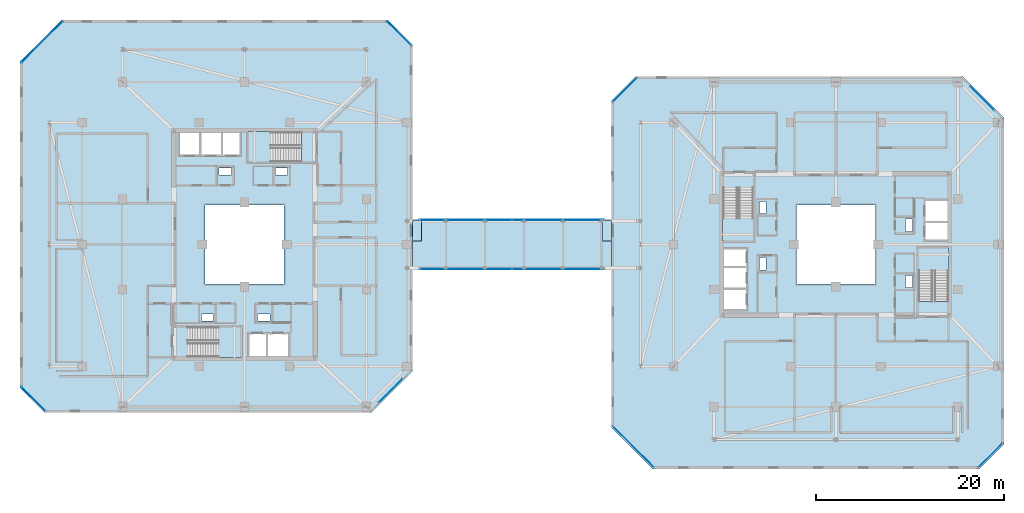
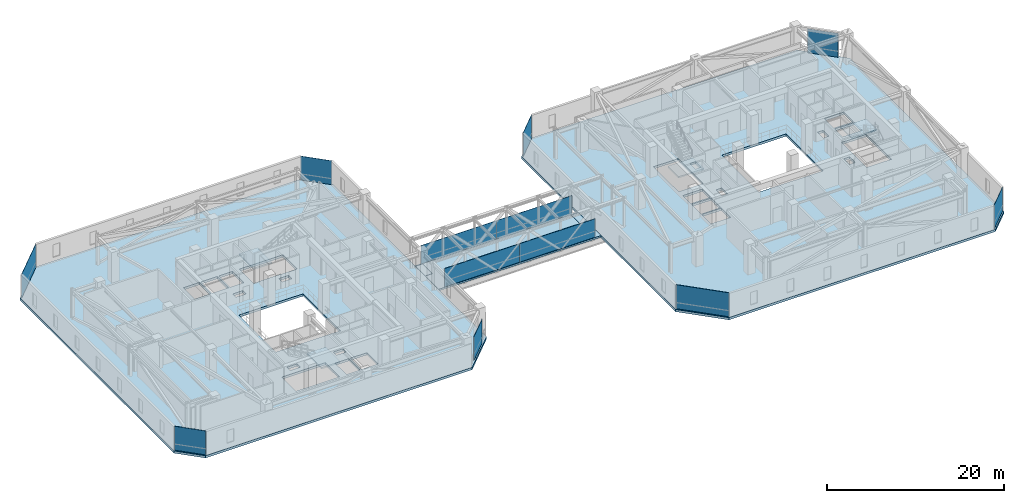
# One storey, part 27 of 42: 14 plates, 7 slabs, 14 elements without a shape of their own.
"""IFC4 building model written with IfcOpenShell, lengths in metres."""

import ifcopenshell
import ifcopenshell.guid

model = None  # the IFC model being written
_history = None  # IfcOwnerHistory: only IFC2X3 demands one
_inside = {}  # id of a spatial element -> (the spatial element, [elements in it])
_under = {}  # id of a project, library or spatial element -> (it, [spatial elements below it])
_declared = {}  # id of a project -> (the project, [libraries it declares])
_typed = {}  # id of a type object -> (the type object, [elements of that type])
_made_of = {}  # id of a material, layer set ... -> (it, [elements and type objects made of it])


def new_model(schema):
    """Start an empty IFC model of exactly this schema.

    Asked for "IFC4X3", IfcOpenShell would pick the latest addendum, in which some entities
    have other attributes; the version numbers below select the first issue.
    IFC2X3 requires an IfcOwnerHistory on every rooted entity: one is made here for all.
    """
    global model, _history
    if schema == "IFC4X3":
        model = ifcopenshell.file(schema_version=(4, 3, 0, 0))
    else:
        model = ifcopenshell.file(schema=schema)
    _inside.clear()
    _under.clear()
    _declared.clear()
    _typed.clear()
    _made_of.clear()
    _history = None
    if model.schema == "IFC2X3":
        org = make("IfcOrganization", Name="unknown")
        user = make(
            "IfcPersonAndOrganization",
            ThePerson=make("IfcPerson", FamilyName="unknown"),
            TheOrganization=org,
        )
        app = make(
            "IfcApplication",
            ApplicationDeveloper=org,
            Version="unknown",
            ApplicationFullName="unknown",
            ApplicationIdentifier="unknown",
        )
        _history = make(
            "IfcOwnerHistory",
            OwningUser=user,
            OwningApplication=app,
            ChangeAction="ADDED",
            CreationDate=0,
        )
    return model


def make(cls, **values):
    """One entity of the class cls with the attributes given. An attribute that is None is left unset."""
    return model.create_entity(
        cls, **{name: value for name, value in values.items() if value is not None}
    )


def rooted(cls, **values):
    """An entity with a GlobalId (a new one), such as an element, a storey or a relation."""
    return make(cls, GlobalId=ifcopenshell.guid.new(), OwnerHistory=_history, **values)


def si_unit(unit_type, name, prefix=None):
    """IfcSIUnit, for example si_unit("LENGTHUNIT", "METRE", prefix="MILLI")."""
    return make("IfcSIUnit", UnitType=unit_type, Prefix=prefix, Name=name)


def assignment(units):
    """IfcUnitAssignment: the units of a project."""
    return None if units is None else make("IfcUnitAssignment", Units=units)


def point(xyz):
    """IfcCartesianPoint."""
    return None if xyz is None else make("IfcCartesianPoint", Coordinates=xyz)


def direction(xyz):
    """IfcDirection."""
    return None if xyz is None else make("IfcDirection", DirectionRatios=xyz)


def frame(location, z_axis=None, x_axis=None):
    """IfcAxis2Placement3D, a coordinate frame: its origin and axes. An axis left out is left unset."""
    return make(
        "IfcAxis2Placement3D",
        Location=point(location),
        Axis=direction(z_axis),
        RefDirection=direction(x_axis),
    )


def frame_2d(location, x_axis=None):
    """IfcAxis2Placement2D, a coordinate frame in the plane: its origin and x axis."""
    return make(
        "IfcAxis2Placement2D", Location=point(location), RefDirection=direction(x_axis)
    )


def origin():
    """The frame at (0, 0, 0) with its axes left unset."""
    return frame((0.0, 0.0, 0.0))


def origin_2d():
    """The frame at (0, 0) in the plane with its x axis left unset."""
    return frame_2d((0.0, 0.0))


def place(relative_to, where):
    """IfcLocalPlacement: puts the frame where relative to a parent placement (None: the world)."""
    return make(
        "IfcLocalPlacement", PlacementRelTo=relative_to, RelativePlacement=where
    )


def context(
    kind, dimensions, precision=None, world=None, true_north=None, identifier=None
):
    """IfcGeometricRepresentationContext, for example the 3D "Model" context."""
    return make(
        "IfcGeometricRepresentationContext",
        ContextIdentifier=identifier,
        ContextType=kind,
        CoordinateSpaceDimension=dimensions,
        Precision=precision,
        WorldCoordinateSystem=world,
        TrueNorth=true_north,
    )


def subcontext(parent, identifier, kind, view, scale=None):
    """IfcGeometricRepresentationSubContext, for example "Body" below "Model"."""
    return make(
        "IfcGeometricRepresentationSubContext",
        ContextIdentifier=identifier,
        ContextType=kind,
        ParentContext=parent,
        TargetScale=scale,
        TargetView=view,
    )


def project(units=None, contexts=None):
    """IfcProject with its units and contexts."""
    return rooted(
        "IfcProject",
        Name="project",
        RepresentationContexts=contexts,
        UnitsInContext=assignment(units),
    )


def spatial(cls, under=None, at=None, **own):
    """A site, building, storey or space (cls), placed at a placement, below another one or the project."""
    s = rooted(cls, ObjectPlacement=at, **own)
    if under is not None:
        _under.setdefault(under.id(), (under, []))[1].append(s)
    return s


def polyline(points):
    """IfcPolyline through the points."""
    return make("IfcPolyline", Points=[point(p) for p in points])


def profile(cls, at=None, kind="AREA", **sizes):
    """A parametric profile (cls). Its sizes go by their IFC names, for example OverallWidth=200.0."""
    return make(cls, ProfileType=kind, Position=at, **sizes)


def rectangle(**sizes):
    """IfcRectangleProfileDef."""
    return profile("IfcRectangleProfileDef", **sizes)


def outline(outer, holes=None, kind="AREA"):
    """IfcArbitraryClosedProfileDef: a profile drawn as a closed curve; with holes, ...WithVoids."""
    if holes is None:
        return make("IfcArbitraryClosedProfileDef", ProfileType=kind, OuterCurve=outer)
    return make(
        "IfcArbitraryProfileDefWithVoids",
        ProfileType=kind,
        OuterCurve=outer,
        InnerCurves=holes,
    )


def extrude(swept, where, along, depth):
    """IfcExtrudedAreaSolid: the profile swept, set in the frame where, extruded along a direction by depth."""
    return make(
        "IfcExtrudedAreaSolid",
        SweptArea=swept,
        Position=where,
        ExtrudedDirection=direction(along),
        Depth=depth,
    )


def shape(context_of_items, identifier, shape_type, items):
    """IfcShapeRepresentation: the items that make up one representation, for example the "Body"."""
    return make(
        "IfcShapeRepresentation",
        ContextOfItems=context_of_items,
        RepresentationIdentifier=identifier,
        RepresentationType=shape_type,
        Items=items,
    )


def material(Name=None, Category=None):
    """IfcMaterial."""
    return make("IfcMaterial", Name=Name, Category=Category)


def layer(
    of_material, thickness, ventilated=None, Name=None, Category=None, Priority=None
):
    """IfcMaterialLayer: one layer of a wall or slab, of a material (None: an air gap)."""
    return make(
        "IfcMaterialLayer",
        Material=of_material,
        LayerThickness=thickness,
        IsVentilated=ventilated,
        Name=Name,
        Category=Category,
        Priority=Priority,
    )


def layer_set(layers, Name=None):
    """IfcMaterialLayerSet."""
    return make("IfcMaterialLayerSet", MaterialLayers=layers, LayerSetName=Name)


def made_of(thing, what):
    """Note that an element or type object is made of a material, layer set ...; save() writes the relation."""
    if what is not None:
        _made_of.setdefault(what.id(), (what, []))[1].append(thing)
    return thing


def type_object(cls, material=None, **own):
    """A type object (cls), such as IfcWallType, which elements share."""
    return made_of(rooted(cls, **own), material)


def element(
    cls,
    number,
    at=None,
    inside=None,
    cuts=None,
    type_object=None,
    material=None,
    context=None,
    identifier="Body",
    shape_type=None,
    held_by="IfcProductDefinitionShape",
    body=None,
    shapes=None,
    **own,
):
    """One element of the class cls, such as IfcWall. Its Tag is "e" and its number.

    at: its placement. inside: the storey or other place that contains it. cuts: it is an
    opening in that element (IfcRelVoidsElement). A single representation is given by context,
    identifier, shape_type and body (its items); several are given by shapes. held_by: the class
    of the entity that holds the representations. save() writes the other relations.
    """
    e = rooted(cls, Tag="e%d" % number, ObjectPlacement=at, **own)
    if body is not None:
        shapes = [shape(context, identifier, shape_type, body)]
    if shapes is not None:
        e.Representation = make(held_by, Representations=shapes)
    if inside is not None:
        _inside.setdefault(inside.id(), (inside, []))[1].append(e)
    if cuts is not None:
        rooted(
            "IfcRelVoidsElement", RelatingBuildingElement=cuts, RelatedOpeningElement=e
        )
    if type_object is not None:
        _typed.setdefault(type_object.id(), (type_object, []))[1].append(e)
    return made_of(e, material)


def aggregate(whole, parts):
    """IfcRelAggregates: a whole, such as a stair, and the parts it consists of."""
    return rooted("IfcRelAggregates", RelatingObject=whole, RelatedObjects=parts)


def save(model, path):
    """Write the relations noted so far, then the file.

    IfcRelAggregates (storeys below a building ...), IfcRelContainedInSpatialStructure (elements
    in a storey), IfcRelDefinesByType, IfcRelAssociatesMaterial and IfcRelDeclares: one each for
    every whole, place, type object, material and project.
    """
    for whole, parts in _under.values():
        aggregate(whole, parts)
    for where, things in _inside.values():
        rooted(
            "IfcRelContainedInSpatialStructure",
            RelatedElements=things,
            RelatingStructure=where,
        )
    for kind, things in _typed.values():
        rooted("IfcRelDefinesByType", RelatedObjects=things, RelatingType=kind)
    for what, things in _made_of.values():
        rooted("IfcRelAssociatesMaterial", RelatedObjects=things, RelatingMaterial=what)
    for by, libraries in _declared.values():
        rooted("IfcRelDeclares", RelatingContext=by, RelatedDefinitions=libraries)
    model.write(path)


model = new_model("IFC4")

# Units and contexts
model_context = context("Model", 3, precision=1e-05, world=origin(), true_north=direction((0.0, 1.0)))
body_context = subcontext(model_context, "Body", "Model", "MODEL_VIEW")
ifc_project = project(units=[si_unit("LENGTHUNIT", "METRE"), si_unit("AREAUNIT", "SQUARE_METRE"), si_unit("VOLUMEUNIT", "CUBIC_METRE"), si_unit("PLANEANGLEUNIT", "RADIAN"), si_unit("MASSUNIT", "GRAM", prefix="KILO")], contexts=[model_context])

# Site, building, storey
site_placement = place(None, origin())
site = spatial("IfcSite", under=ifc_project, at=site_placement, CompositionType="ELEMENT")
building_placement = place(site_placement, origin())
building = spatial("IfcBuilding", under=site, at=building_placement, Name="Thornwick Lancets Civic Towers", CompositionType="ELEMENT")
storey_placement = place(building_placement, frame((0.0, 0.0, 221.699951171875)))
storey = spatial("IfcBuildingStorey", under=building, at=storey_placement, Name="L59", CompositionType="ELEMENT", Elevation=221.699951171875)

# Curtain wall, plate
ifc_material_1 = material(Name="High-zone chamfered-corner unitised glass curtain wall", Category="glass")
curtain_wall_type_1 = type_object("IfcCurtainWallType", Name="CW_SYS_05", PredefinedType="NOTDEFINED", material=ifc_material_1)
curtain_wall_1_placement = place(storey_placement, origin())
curtain_wall_1 = element("IfcCurtainWall", 1, at=curtain_wall_1_placement, inside=storey, type_object=curtain_wall_type_1, Name="L59 Curtain Wall CW-L59-A-E1", PredefinedType="NOTDEFINED")
ifc_material_2 = material(Name="Low-e double glazing clear glass", Category="glass")
ifc_layer_1 = layer(ifc_material_2, 0.035888671875, Name="Low-e double glazing clear glass")
ifc_layer_set_1 = layer_set([ifc_layer_1], Name="Low-e double glazing clear glass")
plate_type_1 = type_object("IfcPlateType", Name="CW_PNL_GLASS", PredefinedType="CURTAIN_PANEL", material=ifc_layer_set_1)
plate_1_placement = place(storey_placement, frame((41.073486328125, 11.426513671875, 0.0), z_axis=(0.0, 0.0, 1.0), x_axis=(0.707106781187, 0.707106781187, 0.0)))
plate_1 = element("IfcPlate", 2, at=plate_1_placement, type_object=plate_type_1, Name="CW-L59-A-E1 Panel 0", PredefinedType="CURTAIN_PANEL", context=body_context, shape_type="SweptSolid", body=[
    extrude(rectangle(XDim=3.5771484375, YDim=0.035888671875, at=origin_2d()), origin(), (0.0, 0.0, 1.0), 3.300048828125),
])
aggregate(curtain_wall_1, [plate_1])

curtain_wall_2_placement = place(storey_placement, origin())
curtain_wall_2 = element("IfcCurtainWall", 3, at=curtain_wall_2_placement, inside=storey, type_object=curtain_wall_type_1, Name="L59 Curtain Wall CW-L59-A-E3", PredefinedType="NOTDEFINED")
plate_2_placement = place(storey_placement, frame((41.972900390625, 49.472900390625, 0.0), z_axis=(0.0, 0.0, 1.0), x_axis=(-0.707106781187, 0.707106781187, 0.0)))
plate_2 = element("IfcPlate", 4, at=plate_2_placement, type_object=plate_type_1, Name="CW-L59-A-E3 Panel 0", PredefinedType="CURTAIN_PANEL", context=body_context, shape_type="SweptSolid", body=[
    extrude(rectangle(XDim=3.649169921875, YDim=0.035888671875, at=origin_2d()), origin(), (0.0, 0.0, 1.0), 3.300048828125),
])
aggregate(curtain_wall_2, [plate_2])

curtain_wall_3_placement = place(storey_placement, origin())
curtain_wall_3 = element("IfcCurtainWall", 5, at=curtain_wall_3_placement, inside=storey, type_object=curtain_wall_type_1, Name="L59 Curtain Wall CW-L59-A-E5", PredefinedType="NOTDEFINED")
plate_3_placement = place(storey_placement, frame((3.926513671875, 48.573486328125, 0.0), z_axis=(0.0, 0.0, 1.0), x_axis=(-0.707106781187, -0.707106781187, 0.0)))
plate_3 = element("IfcPlate", 6, at=plate_3_placement, type_object=plate_type_1, Name="CW-L59-A-E5 Panel 0", PredefinedType="CURTAIN_PANEL", context=body_context, shape_type="SweptSolid", body=[
    extrude(rectangle(XDim=6.176513671875, YDim=0.035888671875, at=origin_2d()), origin(), (0.0, 0.0, 1.0), 3.300048828125),
])
aggregate(curtain_wall_3, [plate_3])

curtain_wall_4_placement = place(storey_placement, origin())
curtain_wall_4 = element("IfcCurtainWall", 7, at=curtain_wall_4_placement, inside=storey, type_object=curtain_wall_type_1, Name="L59 Curtain Wall CW-L59-A-E7", PredefinedType="NOTDEFINED")
plate_4_placement = place(storey_placement, frame((3.027099609375, 10.527099609375, 0.0), z_axis=(0.0, 0.0, 1.0), x_axis=(0.707106781187, -0.707106781187, 0.0)))
plate_4 = element("IfcPlate", 8, at=plate_4_placement, type_object=plate_type_1, Name="CW-L59-A-E7 Panel 0", PredefinedType="CURTAIN_PANEL", context=body_context, shape_type="SweptSolid", body=[
    extrude(rectangle(XDim=3.649169921875, YDim=0.035888671875, at=origin_2d()), origin(), (0.0, 0.0, 1.0), 3.300048828125),
])
aggregate(curtain_wall_4, [plate_4])

curtain_wall_5_placement = place(storey_placement, origin())
curtain_wall_5 = element("IfcCurtainWall", 9, at=curtain_wall_5_placement, inside=storey, type_object=curtain_wall_type_1, Name="L59 Curtain Wall CW-L59-B-E1", PredefinedType="NOTDEFINED")
plate_5_placement = place(storey_placement, frame((104.972900390625, 4.527099609375, 0.0), z_axis=(0.0, 0.0, 1.0), x_axis=(0.707106781187, 0.707106781187, 0.0)))
plate_5 = element("IfcPlate", 10, at=plate_5_placement, type_object=plate_type_1, Name="CW-L59-B-E1 Panel 0", PredefinedType="CURTAIN_PANEL", context=body_context, shape_type="SweptSolid", body=[
    extrude(rectangle(XDim=3.649169921875, YDim=0.035888671875, at=origin_2d()), origin(), (0.0, 0.0, 1.0), 3.300048828125),
])
aggregate(curtain_wall_5, [plate_5])

curtain_wall_6_placement = place(storey_placement, origin())
curtain_wall_6 = element("IfcCurtainWall", 11, at=curtain_wall_6_placement, inside=storey, type_object=curtain_wall_type_1, Name="L59 Curtain Wall CW-L59-B-E3", PredefinedType="NOTDEFINED")
plate_6_placement = place(storey_placement, frame((104.073486328125, 42.573486328125, 0.0), z_axis=(0.0, 0.0, 1.0), x_axis=(-0.707106781187, 0.707106781187, 0.0)))
plate_6 = element("IfcPlate", 12, at=plate_6_placement, type_object=plate_type_1, Name="CW-L59-B-E3 Panel 0", PredefinedType="CURTAIN_PANEL", context=body_context, shape_type="SweptSolid", body=[
    extrude(rectangle(XDim=3.5771484375, YDim=0.035888671875, at=origin_2d()), origin(), (0.0, 0.0, 1.0), 3.300048828125),
])
aggregate(curtain_wall_6, [plate_6])

curtain_wall_7_placement = place(storey_placement, origin())
curtain_wall_7 = element("IfcCurtainWall", 13, at=curtain_wall_7_placement, inside=storey, type_object=curtain_wall_type_1, Name="L59 Curtain Wall CW-L59-B-E5", PredefinedType="NOTDEFINED")
plate_7_placement = place(storey_placement, frame((66.027099609375, 43.472900390625, 0.0), z_axis=(0.0, 0.0, 1.0), x_axis=(-0.707106781187, -0.707106781187, 0.0)))
plate_7 = element("IfcPlate", 14, at=plate_7_placement, type_object=plate_type_1, Name="CW-L59-B-E5 Panel 0", PredefinedType="CURTAIN_PANEL", context=body_context, shape_type="SweptSolid", body=[
    extrude(rectangle(XDim=3.649169921875, YDim=0.035888671875, at=origin_2d()), origin(), (0.0, 0.0, 1.0), 3.300048828125),
])
aggregate(curtain_wall_7, [plate_7])

curtain_wall_8_placement = place(storey_placement, origin())
curtain_wall_8 = element("IfcCurtainWall", 15, at=curtain_wall_8_placement, inside=storey, type_object=curtain_wall_type_1, Name="L59 Curtain Wall CW-L59-B-E7", PredefinedType="NOTDEFINED")
plate_8_placement = place(storey_placement, frame((66.926513671875, 5.426513671875, 0.0), z_axis=(0.0, 0.0, 1.0), x_axis=(0.707106781187, -0.707106781187, 0.0)))
plate_8 = element("IfcPlate", 16, at=plate_8_placement, type_object=plate_type_1, Name="CW-L59-B-E7 Panel 0", PredefinedType="CURTAIN_PANEL", context=body_context, shape_type="SweptSolid", body=[
    extrude(rectangle(XDim=6.176513671875, YDim=0.035888671875, at=origin_2d()), origin(), (0.0, 0.0, 1.0), 3.300048828125),
])
aggregate(curtain_wall_8, [plate_8])

# Curtain wall, plates
ifc_material_3 = material(Name="Skybridge acoustic laminated-glass curtain wall", Category="glass")
curtain_wall_type_2 = type_object("IfcCurtainWallType", Name="CW_SYS_06", PredefinedType="NOTDEFINED", material=ifc_material_3)
curtain_wall_9_placement = place(storey_placement, origin())
curtain_wall_9 = element("IfcCurtainWall", 17, at=curtain_wall_9_placement, inside=storey, type_object=curtain_wall_type_2, Name="L59 Curtain Wall CW-L59-SKYBRIDGE-S", PredefinedType="NOTDEFINED")
plate_9_placement = place(storey_placement, frame((49.090087890625, 24.3798828125, 0.0), z_axis=(0.0, 0.0, 1.0), x_axis=(1.0, 0.0, 0.0)))
plate_9 = element("IfcPlate", 18, at=plate_9_placement, type_object=plate_type_1, Name="CW-L59-SKYBRIDGE-S Panel 0", PredefinedType="CURTAIN_PANEL", context=body_context, shape_type="SweptSolid", body=[
    extrude(rectangle(XDim=9.81591796875, YDim=0.035888671875, at=origin_2d()), origin(), (0.0, 0.0, 1.0), 2.550048828125),
])
plate_10_placement = place(storey_placement, frame((58.909912109375, 24.3798828125, 0.0), z_axis=(0.0, 0.0, 1.0), x_axis=(1.0, 0.0, 0.0)))
plate_10 = element("IfcPlate", 19, at=plate_10_placement, type_object=plate_type_1, Name="CW-L59-SKYBRIDGE-S Panel 1", PredefinedType="CURTAIN_PANEL", context=body_context, shape_type="SweptSolid", body=[
    extrude(rectangle(XDim=9.81591796875, YDim=0.035888671875, at=origin_2d()), origin(), (0.0, 0.0, 1.0), 2.550048828125),
])
aggregate(curtain_wall_9, [plate_9, plate_10])

curtain_wall_10_placement = place(storey_placement, origin())
curtain_wall_10 = element("IfcCurtainWall", 20, at=curtain_wall_10_placement, inside=storey, type_object=curtain_wall_type_2, Name="L59 Curtain Wall CW-L59-SKYBRIDGE-N", PredefinedType="NOTDEFINED")
plate_11_placement = place(storey_placement, frame((58.909912109375, 29.6201171875, 0.0), z_axis=(0.0, 0.0, 1.0), x_axis=(-1.0, 0.0, 0.0)))
plate_11 = element("IfcPlate", 21, at=plate_11_placement, type_object=plate_type_1, Name="CW-L59-SKYBRIDGE-N Panel 0", PredefinedType="CURTAIN_PANEL", context=body_context, shape_type="SweptSolid", body=[
    extrude(rectangle(XDim=9.81591796875, YDim=0.035888671875, at=origin_2d()), origin(), (0.0, 0.0, 1.0), 2.550048828125),
])
plate_12_placement = place(storey_placement, frame((49.090087890625, 29.6201171875, 0.0), z_axis=(0.0, 0.0, 1.0), x_axis=(-1.0, 0.0, 0.0)))
plate_12 = element("IfcPlate", 22, at=plate_12_placement, type_object=plate_type_1, Name="CW-L59-SKYBRIDGE-N Panel 1", PredefinedType="CURTAIN_PANEL", context=body_context, shape_type="SweptSolid", body=[
    extrude(rectangle(XDim=9.81591796875, YDim=0.035888671875, at=origin_2d()), origin(), (0.0, 0.0, 1.0), 2.550048828125),
])
aggregate(curtain_wall_10, [plate_11, plate_12])

# Plates
ifc_material_4 = material(Name="Steel S355JR", Category="steel")
ifc_layer_2 = layer(ifc_material_4, 0.030029296875, Name="Steel S355JR")
ifc_layer_set_2 = layer_set([ifc_layer_2], Name="Steel S355JR")
plate_type_2 = type_object("IfcPlateType", Name="PLT_THRESH_30", PredefinedType="SHEET", material=ifc_layer_set_2)
for number, where, z_axis, x_axis, name in (
    (23, (43.860107421875, 28.449951171875, -0.02978515625), (0.0, 0.0, 1.0), (1.0, 0.0, 0.0), "L59 Skybridge West Expansion Joint Plate"),
    (24, (64.139892578125, 28.449951171875, -0.02978515625), (0.0, 0.0, 1.0), (1.0, 0.0, 0.0), "L59 Skybridge East Expansion Joint Plate"),
):
    element("IfcPlate", number, at=place(storey_placement, frame(where, z_axis=z_axis, x_axis=x_axis)), inside=storey, type_object=plate_type_2, Name=name, PredefinedType="SHEET", context=body_context, shape_type="SweptSolid", body=[
        extrude(rectangle(XDim=0.949951171875, YDim=2.199951171875, at=origin_2d()), origin(), (0.0, 0.0, 1.0), 0.030029296875),
    ])

# Slab
ifc_material_5 = material(Name="Composite concrete C40/50", Category="concrete")
ifc_layer_3 = layer(ifc_material_5, 0.219970703125, Name="Composite concrete C40/50")
ifc_layer_set_3 = layer_set([ifc_layer_3], Name="Composite concrete C40/50")
slab_type_1 = type_object("IfcSlabType", Name="SLAB_BRIDGE_220", PredefinedType="FLOOR", material=ifc_layer_set_3)
slab_1_placement = place(storey_placement, frame((0.0, 0.0, -0.219970703125)))
element("IfcSlab", 25, at=slab_1_placement, inside=storey, type_object=slab_type_1, Name="L59 Inter-Tower Refuge Skybridge Deck Slab", PredefinedType="FLOOR", context=body_context, shape_type="SweptSolid", body=[
    extrude(outline(polyline([(43.3798828125, 24.300048828125), (64.6201171875, 24.300048828125), (64.6201171875, 29.699951171875), (43.3798828125, 29.699951171875), (43.3798828125, 24.300048828125)])), origin(), (0.0, 0.0, 1.0), 0.219970703125),
])

# Stair, slab
ifc_material_6 = material(Name="Concrete C40/50", Category="concrete")
stair_type = type_object("IfcStairType", Name="STAIR_DL_4200", PredefinedType="HALF_TURN_STAIR", material=ifc_material_6)
stair_1_placement = place(storey_placement, origin())
stair_1 = element("IfcStair", 26, at=stair_1_placement, inside=storey, type_object=stair_type, Name="L59 Tower A South Exit Stair ST-A1", PredefinedType="HALF_TURN_STAIR")
ifc_layer_4 = layer(ifc_material_6, 0.25, Name="Concrete C40/50")
ifc_layer_set_4 = layer_set([ifc_layer_4], Name="Concrete C40/50")
slab_type_2 = type_object("IfcSlabType", Name="SLAB_LANDING_200", PredefinedType="LANDING", material=ifc_layer_set_4)
slab_2_placement = place(storey_placement, frame((0.0, 0.0, 1.903076171875)))
slab_2 = element("IfcSlab", 27, at=slab_2_placement, type_object=slab_type_2, Name="ST-A1 landing 1", PredefinedType="LANDING", context=body_context, shape_type="SweptSolid", body=[
    extrude(outline(polyline([(22.72998046875, 14.93994140625), (25.14990234375, 14.93994140625), (25.14990234375, 18.260009765625), (22.72998046875, 18.260009765625), (22.72998046875, 14.93994140625)])), origin(), (0.0, 0.0, 1.0), 0.199951171875),
])
aggregate(stair_1, [slab_2])

stair_2_placement = place(storey_placement, origin())
stair_2 = element("IfcStair", 28, at=stair_2_placement, inside=storey, type_object=stair_type, Name="L59 Tower A North Exit Stair ST-A2", PredefinedType="HALF_TURN_STAIR")
slab_3_placement = place(storey_placement, frame((0.0, 0.0, 1.903076171875)))
slab_3 = element("IfcSlab", 29, at=slab_3_placement, type_object=slab_type_2, Name="ST-A2 landing 1", PredefinedType="LANDING", context=body_context, shape_type="SweptSolid", body=[
    extrude(outline(polyline([(28.27001953125, 39.06005859375), (25.85009765625, 39.06005859375), (25.85009765625, 35.739990234375), (28.27001953125, 35.739990234375), (28.27001953125, 39.06005859375)])), origin(), (0.0, 0.0, 1.0), 0.199951171875),
])
aggregate(stair_2, [slab_3])

stair_3_placement = place(storey_placement, origin())
stair_3 = element("IfcStair", 30, at=stair_3_placement, inside=storey, type_object=stair_type, Name="L59 Tower B East Exit Stair ST-B1", PredefinedType="HALF_TURN_STAIR")
slab_4_placement = place(storey_placement, frame((0.0, 0.0, 1.903076171875)))
slab_4 = element("IfcSlab", 31, at=slab_4_placement, type_object=slab_type_2, Name="ST-B1 landing 1", PredefinedType="LANDING", context=body_context, shape_type="SweptSolid", body=[
    extrude(outline(polyline([(100.56005859375, 24.22998046875), (100.56005859375, 26.64990234375), (97.239990234375, 26.64990234375), (97.239990234375, 24.22998046875), (100.56005859375, 24.22998046875)])), origin(), (0.0, 0.0, 1.0), 0.199951171875),
])
aggregate(stair_3, [slab_4])

stair_4_placement = place(storey_placement, origin())
stair_4 = element("IfcStair", 32, at=stair_4_placement, inside=storey, type_object=stair_type, Name="L59 Tower B West Exit Stair ST-B2", PredefinedType="HALF_TURN_STAIR")
slab_5_placement = place(storey_placement, frame((0.0, 0.0, 1.903076171875)))
slab_5 = element("IfcSlab", 33, at=slab_5_placement, type_object=slab_type_2, Name="ST-B2 landing 1", PredefinedType="LANDING", context=body_context, shape_type="SweptSolid", body=[
    extrude(outline(polyline([(76.43994140625, 29.77001953125), (76.43994140625, 27.35009765625), (79.760009765625, 27.35009765625), (79.760009765625, 29.77001953125), (76.43994140625, 29.77001953125)])), origin(), (0.0, 0.0, 1.0), 0.199951171875),
])
aggregate(stair_4, [slab_5])

# Slabs
ifc_material_7 = material(Name="Post-tensioned concrete C40/50", Category="concrete")
ifc_layer_5 = layer(ifc_material_7, 0.320068359375, Name="Post-tensioned concrete C40/50")
ifc_layer_set_5 = layer_set([ifc_layer_5], Name="Post-tensioned concrete C40/50")
slab_type_3 = type_object("IfcSlabType", Name="SLAB_PT_320", PredefinedType="FLOOR", material=ifc_layer_set_5)
slab_6_placement = place(storey_placement, frame((0.0, 0.0, -0.320068359375)))
element("IfcSlab", 34, at=slab_6_placement, inside=storey, type_object=slab_type_3, Name="L59 Tower A Floor Slab", PredefinedType="FLOOR", context=body_context, shape_type="SweptSolid", body=[
    extrude(outline(polyline([(4.199951171875, 9.10009765625), (39.0, 9.10009765625), (43.39990234375, 13.5), (43.39990234375, 48.300048828125), (40.800048828125, 50.89990234375), (6.0, 50.89990234375), (1.60009765625, 46.5), (1.60009765625, 11.699951171875), (4.199951171875, 9.10009765625)]), holes=[polyline([(21.300048828125, 22.800048828125), (29.699951171875, 22.800048828125), (29.699951171875, 31.199951171875), (21.300048828125, 31.199951171875), (21.300048828125, 22.800048828125)]), polyline([(19.429931640625, 15.0), (25.10009765625, 15.0), (25.10009765625, 18.199951171875), (19.429931640625, 18.199951171875), (19.429931640625, 15.0)]), polyline([(31.570068359375, 39.0), (25.89990234375, 39.0), (25.89990234375, 35.800048828125), (31.570068359375, 35.800048828125), (31.570068359375, 39.0)]), polyline([(26.0, 15.0), (27.800048828125, 15.0), (27.800048828125, 17.550048828125), (26.0, 17.550048828125), (26.0, 15.0)]), polyline([(28.0, 15.0), (30.14990234375, 15.0), (30.14990234375, 17.550048828125), (28.0, 17.550048828125), (28.0, 15.0)]), polyline([(23.199951171875, 36.449951171875), (25.0, 36.449951171875), (25.0, 39.0), (23.199951171875, 39.0), (23.199951171875, 36.449951171875)]), polyline([(20.85009765625, 36.449951171875), (23.0, 36.449951171875), (23.0, 39.0), (20.85009765625, 39.0), (20.85009765625, 36.449951171875)]), polyline([(18.60009765625, 36.449951171875), (20.699951171875, 36.449951171875), (20.699951171875, 39.0), (18.60009765625, 39.0), (18.60009765625, 36.449951171875)]), polyline([(26.89990234375, 18.85009765625), (28.199951171875, 18.85009765625), (28.199951171875, 19.580078125), (26.89990234375, 19.580078125), (26.89990234375, 18.85009765625)]), polyline([(20.89990234375, 18.85009765625), (22.199951171875, 18.85009765625), (22.199951171875, 19.580078125), (20.89990234375, 19.580078125), (20.89990234375, 18.85009765625)]), polyline([(22.800048828125, 34.419921875), (24.10009765625, 34.419921875), (24.10009765625, 35.14990234375), (22.800048828125, 35.14990234375), (22.800048828125, 34.419921875)]), polyline([(28.800048828125, 34.419921875), (30.10009765625, 34.419921875), (30.10009765625, 35.14990234375), (28.800048828125, 35.14990234375), (28.800048828125, 34.419921875)])]), origin(), (0.0, 0.0, 1.0), 0.320068359375),
])
slab_7_placement = place(storey_placement, frame((0.0, 0.0, -0.320068359375)))
element("IfcSlab", 35, at=slab_7_placement, inside=storey, type_object=slab_type_3, Name="L59 Tower B Floor Slab", PredefinedType="FLOOR", context=body_context, shape_type="SweptSolid", body=[
    extrude(outline(polyline([(69.0, 3.10009765625), (103.800048828125, 3.10009765625), (106.39990234375, 5.699951171875), (106.39990234375, 40.5), (102.0, 44.89990234375), (67.199951171875, 44.89990234375), (64.60009765625, 42.300048828125), (64.60009765625, 7.5), (69.0, 3.10009765625)]), holes=[polyline([(84.300048828125, 22.800048828125), (92.699951171875, 22.800048828125), (92.699951171875, 31.199951171875), (84.300048828125, 31.199951171875), (84.300048828125, 22.800048828125)]), polyline([(100.5, 20.929931640625), (100.5, 26.60009765625), (97.300048828125, 26.60009765625), (97.300048828125, 20.929931640625), (100.5, 20.929931640625)]), polyline([(76.5, 33.070068359375), (76.5, 27.39990234375), (79.699951171875, 27.39990234375), (79.699951171875, 33.070068359375), (76.5, 33.070068359375)]), polyline([(97.949951171875, 27.5), (100.5, 27.5), (100.5, 29.300048828125), (97.949951171875, 29.300048828125), (97.949951171875, 27.5)]), polyline([(97.949951171875, 29.5), (100.5, 29.5), (100.5, 31.64990234375), (97.949951171875, 31.64990234375), (97.949951171875, 29.5)]), polyline([(76.5, 24.699951171875), (79.050048828125, 24.699951171875), (79.050048828125, 26.5), (76.5, 26.5), (76.5, 24.699951171875)]), polyline([(76.5, 22.35009765625), (79.050048828125, 22.35009765625), (79.050048828125, 24.5), (76.5, 24.5), (76.5, 22.35009765625)]), polyline([(76.5, 20.10009765625), (79.050048828125, 20.10009765625), (79.050048828125, 22.199951171875), (76.5, 22.199951171875), (76.5, 20.10009765625)]), polyline([(95.919921875, 28.39990234375), (96.64990234375, 28.39990234375), (96.64990234375, 29.699951171875), (95.919921875, 29.699951171875), (95.919921875, 28.39990234375)]), polyline([(95.919921875, 22.39990234375), (96.64990234375, 22.39990234375), (96.64990234375, 23.699951171875), (95.919921875, 23.699951171875), (95.919921875, 22.39990234375)]), polyline([(80.35009765625, 24.300048828125), (81.080078125, 24.300048828125), (81.080078125, 25.60009765625), (80.35009765625, 25.60009765625), (80.35009765625, 24.300048828125)]), polyline([(80.35009765625, 30.300048828125), (81.080078125, 30.300048828125), (81.080078125, 31.60009765625), (80.35009765625, 31.60009765625), (80.35009765625, 30.300048828125)])]), origin(), (0.0, 0.0, 1.0), 0.320068359375),
])

save(model, "model.ifc")
